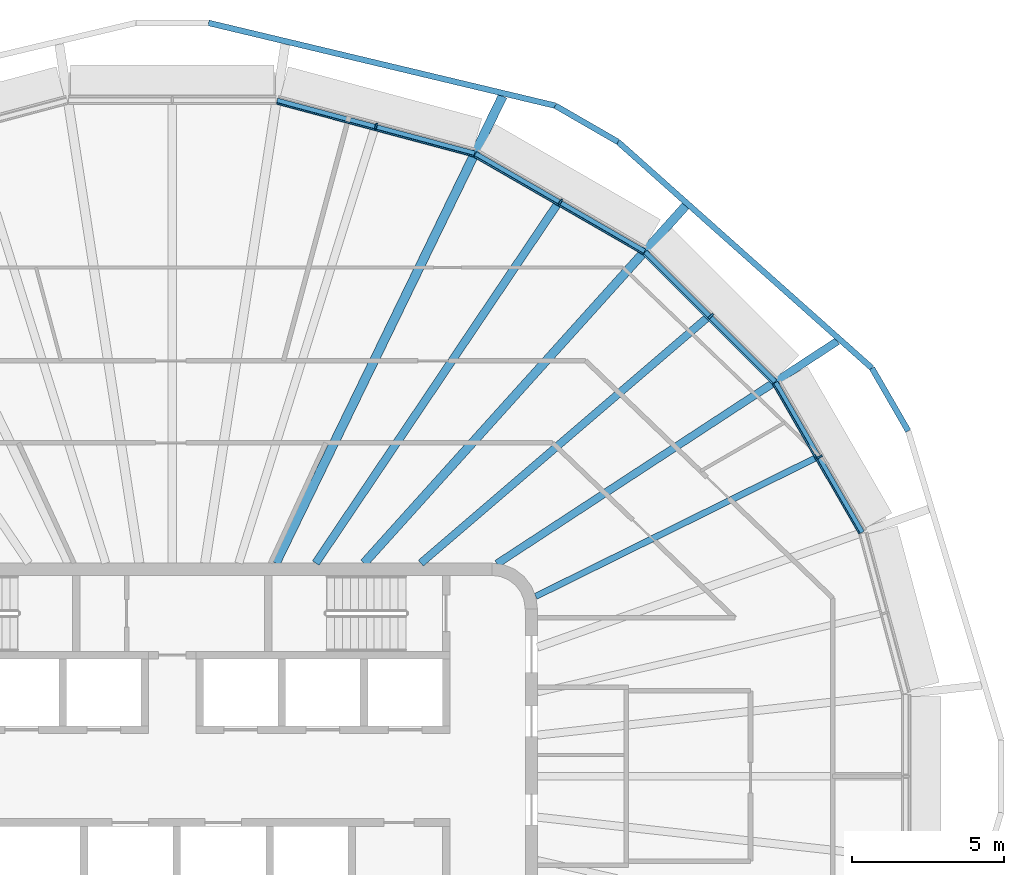
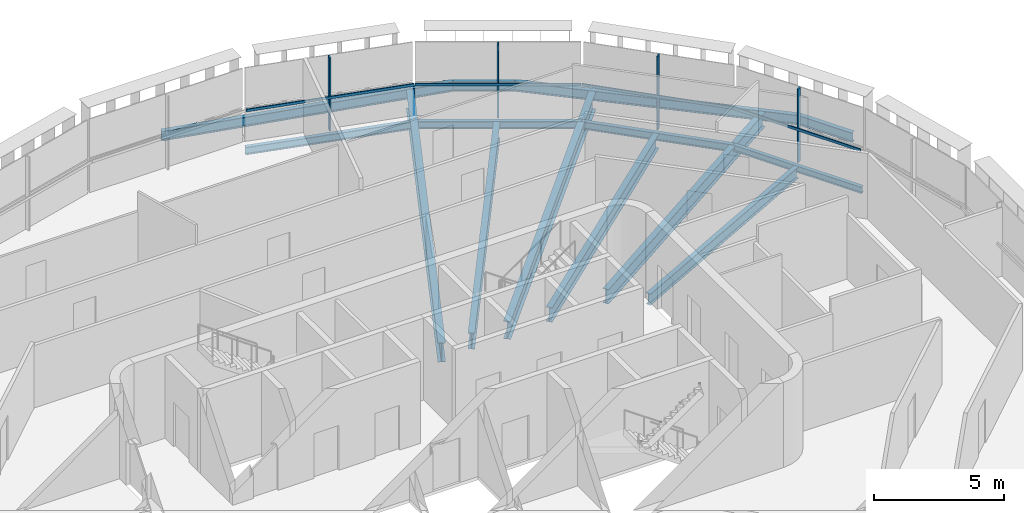
# One storey, part 6 of 18: 14 beams, 8 members, 4 elements without a shape of their own.
"""IFC4 building model written with IfcOpenShell, lengths in metres."""

from ifc_helpers import new_model, si_unit, direction, frame, origin, origin_2d, place, context, subcontext, project, spatial, rectangle, i_section, extrude, material, layer, layer_set, material_profile, profile_set, type_object, element, aggregate, save


model = new_model("IFC4")

# Units and contexts
model_context = context("Model", 3, precision=1e-05, world=origin(), true_north=direction((0.0, 1.0)))
body_context = subcontext(model_context, "Body", "Model", "MODEL_VIEW")
ifc_project = project(units=[si_unit("LENGTHUNIT", "METRE"), si_unit("AREAUNIT", "SQUARE_METRE"), si_unit("VOLUMEUNIT", "CUBIC_METRE"), si_unit("PLANEANGLEUNIT", "RADIAN"), si_unit("MASSUNIT", "GRAM", prefix="KILO")], contexts=[model_context])

# Site, building, storey
site_placement = place(None, origin())
site = spatial("IfcSite", under=ifc_project, at=site_placement, CompositionType="ELEMENT")
building_placement = place(site_placement, origin())
building = spatial("IfcBuilding", under=site, at=building_placement, Name="Sahrelin Media Tower", CompositionType="ELEMENT")
storey_placement = place(building_placement, frame((0.0, 0.0, 320.39990234375)))
storey = spatial("IfcBuildingStorey", under=building, at=storey_placement, Name="L71", CompositionType="ELEMENT", Elevation=320.39990234375)

# Beams
ifc_material_1 = material(Name="Steel S355", Category="steel")
ifc_material_profile_1 = material_profile(ifc_material_1, i_section(OverallWidth=0.1650390625, OverallDepth=0.303466796875, WebThickness=0.006103515625, FlangeThickness=0.01025390625, FilletRadius=0.0087890625, at=origin_2d()), Name="UB 305x165x40")
ifc_profile_set_1 = profile_set([ifc_material_profile_1], Name="Steel S355")
beam_type_1 = type_object("IfcBeamType", Name="Edge beam EB2", PredefinedType="BEAM", material=ifc_profile_set_1)
beam_1_placement = place(storey_placement, frame((19.822998046875, 12.933349609375, -0.301513671875), z_axis=(0.50000363893, -0.866023302837, 0.0), x_axis=(0.866023302837, 0.50000363893, 0.0)))
element("IfcBeam", 1, at=beam_1_placement, inside=storey, type_object=beam_type_1, Name="Edge beam L71-23", PredefinedType="BEAM", context=body_context, shape_type="SweptSolid", body=[
    extrude(i_section(OverallWidth=0.1650390625, OverallDepth=0.303466796875, WebThickness=0.006103515625, FlangeThickness=0.01025390625, FilletRadius=0.0087890625, at=origin_2d()), origin(), (0.0, 0.0, 1.0), 5.68701171875),
])
ifc_material_profile_2 = material_profile(ifc_material_1, i_section(OverallWidth=0.17138671875, OverallDepth=0.35498046875, WebThickness=0.00732421875, FlangeThickness=0.011474609375, FilletRadius=0.01025390625, at=origin_2d()), Name="UB 356x171x51")
ifc_profile_set_2 = profile_set([ifc_material_profile_2], Name="Steel S355")
beam_type_2 = type_object("IfcBeamType", Name="Edge beam EB3", PredefinedType="BEAM", material=ifc_profile_set_2)
beam_2_placement = place(storey_placement, frame((3.44580078125, 22.197021484375, -0.327392578125), z_axis=(0.965930856343, -0.258800271955, 0.0), x_axis=(0.258800271955, 0.965930856343, 0.0)))
element("IfcBeam", 2, at=beam_2_placement, inside=storey, type_object=beam_type_2, Name="Edge beam L71-20", PredefinedType="BEAM", context=body_context, shape_type="SweptSolid", body=[
    extrude(i_section(OverallWidth=0.17138671875, OverallDepth=0.35498046875, WebThickness=0.00732421875, FlangeThickness=0.011474609375, FilletRadius=0.01025390625, at=origin_2d()), origin(), (0.0, 0.0, 1.0), 6.717529296875),
])
beam_3_placement = place(storey_placement, frame((9.961181640625, 20.447509765625, -0.327392578125), z_axis=(0.866016350121, -0.500015681077, 0.0), x_axis=(0.500015681077, 0.866016350121, 0.0)))
element("IfcBeam", 3, at=beam_3_placement, inside=storey, type_object=beam_type_2, Name="Edge beam L71-21", PredefinedType="BEAM", context=body_context, shape_type="SweptSolid", body=[
    extrude(i_section(OverallWidth=0.17138671875, OverallDepth=0.35498046875, WebThickness=0.00732421875, FlangeThickness=0.011474609375, FilletRadius=0.01025390625, at=origin_2d()), origin(), (0.0, 0.0, 1.0), 6.414306640625),
])
beam_4_placement = place(storey_placement, frame((15.5390625, 17.22265625, -0.327392578125), z_axis=(0.707106781187, -0.707106781187, 0.0), x_axis=(0.707106781187, 0.707106781187, 0.0)))
element("IfcBeam", 4, at=beam_4_placement, inside=storey, type_object=beam_type_2, Name="Edge beam L71-22", PredefinedType="BEAM", context=body_context, shape_type="SweptSolid", body=[
    extrude(i_section(OverallWidth=0.17138671875, OverallDepth=0.35498046875, WebThickness=0.00732421875, FlangeThickness=0.011474609375, FilletRadius=0.01025390625, at=origin_2d()), origin(), (0.0, 0.0, 1.0), 6.033447265625),
])

# Curtain wall, member
ifc_material_2 = material(Name="Champagne anodised aluminium 6063-T6", Category="aluminium")
ifc_layer = layer(ifc_material_2, 0.14990234375)
ifc_layer_set = layer_set([ifc_layer], Name="Tower ribbon curtain wall")
curtain_wall_type = type_object("IfcCurtainWallType", Name="Tower ribbon curtain wall", PredefinedType="NOTDEFINED", material=ifc_layer_set)
curtain_wall_1_placement = place(storey_placement, frame((21.37451171875, 10.5458984375, 0.0), z_axis=(0.0, 0.0, 1.0), x_axis=(1.0, 0.0, 0.0)))
curtain_wall_1 = element("IfcCurtainWall", 5, at=curtain_wall_1_placement, inside=storey, type_object=curtain_wall_type, Name="L71:CW:L71-02", PredefinedType="NOTDEFINED")
ifc_material_profile_3 = material_profile(ifc_material_2, rectangle(XDim=0.06005859375, YDim=0.199951171875, at=origin_2d()), Name="Mullion 60x200")
ifc_profile_set_3 = profile_set([ifc_material_profile_3], Name="Champagne anodised aluminium 6063-T6")
member_type_1 = type_object("IfcMemberType", Name="Mullion 60x200 CW1C", PredefinedType="MULLION", material=ifc_profile_set_3)
member_1_placement = place(storey_placement, frame((21.270751953125, 10.48583984375, 0.0), z_axis=(0.0, 0.0, 1.0), x_axis=(-0.500004534492, 0.866022785779, 0.0)))
member_1 = element("IfcMember", 6, at=member_1_placement, type_object=member_type_1, Name="L71:CWM:L71-02", PredefinedType="MULLION", context=body_context, shape_type="SweptSolid", body=[
    extrude(rectangle(XDim=0.06005859375, YDim=0.199951171875, at=origin_2d()), origin(), (0.0, 0.0, 1.0), 3.44873046875),
])

curtain_wall_2_placement = place(storey_placement, frame((17.7783203125, 15.195556640625, 0.0), z_axis=(0.0, 0.0, 1.0), x_axis=(1.0, 0.0, 0.0)))
curtain_wall_2 = element("IfcCurtainWall", 7, at=curtain_wall_2_placement, inside=storey, type_object=curtain_wall_type, Name="L71:CW:L71-03", PredefinedType="NOTDEFINED")
member_2_placement = place(storey_placement, frame((17.693359375, 15.110595703125, 0.0), z_axis=(0.0, 0.0, 1.0), x_axis=(-0.707106781187, 0.707106781187, 0.0)))
member_2 = element("IfcMember", 8, at=member_2_placement, type_object=member_type_1, Name="L71:CWM:L71-03", PredefinedType="MULLION", context=body_context, shape_type="SweptSolid", body=[
    extrude(rectangle(XDim=0.06005859375, YDim=0.199951171875, at=origin_2d()), origin(), (0.0, 0.0, 1.0), 3.44873046875),
])

curtain_wall_3_placement = place(storey_placement, frame((12.813720703125, 18.973876953125, 0.0), z_axis=(0.0, 0.0, 1.0), x_axis=(1.0, 0.0, 0.0)))
curtain_wall_3 = element("IfcCurtainWall", 9, at=curtain_wall_3_placement, inside=storey, type_object=curtain_wall_type, Name="L71:CW:L71-04", PredefinedType="NOTDEFINED")
member_3_placement = place(storey_placement, frame((12.753662109375, 18.869873046875, 0.0), z_axis=(0.0, 0.0, 1.0), x_axis=(-0.86602365845, 0.500003022996, 0.0)))
member_3 = element("IfcMember", 10, at=member_3_placement, type_object=member_type_1, Name="L71:CWM:L71-04", PredefinedType="MULLION", context=body_context, shape_type="SweptSolid", body=[
    extrude(rectangle(XDim=0.06005859375, YDim=0.199951171875, at=origin_2d()), origin(), (0.0, 0.0, 1.0), 3.44873046875),
])

curtain_wall_4_placement = place(storey_placement, frame((6.72900390625, 21.47265625, 0.0), z_axis=(0.0, 0.0, 1.0), x_axis=(1.0, 0.0, 0.0)))
curtain_wall_4 = element("IfcCurtainWall", 11, at=curtain_wall_4_placement, inside=storey, type_object=curtain_wall_type, Name="L71:CW:L71-05", PredefinedType="NOTDEFINED")
member_4_placement = place(storey_placement, frame((6.69775390625, 21.356689453125, 0.0), z_axis=(0.0, 0.0, 1.0), x_axis=(-0.965926278012, 0.258817359244, 0.0)))
member_4 = element("IfcMember", 12, at=member_4_placement, type_object=member_type_1, Name="L71:CWM:L71-05", PredefinedType="MULLION", context=body_context, shape_type="SweptSolid", body=[
    extrude(rectangle(XDim=0.06005859375, YDim=0.199951171875, at=origin_2d()), origin(), (0.0, 0.0, 1.0), 3.44873046875),
])

# Beams
ifc_material_profile_4 = material_profile(ifc_material_1, i_section(OverallWidth=0.291748046875, OverallDepth=0.8349609375, WebThickness=0.013916015625, FlangeThickness=0.018798828125, FilletRadius=0.017822265625, at=origin_2d()), Name="UB 838x292x176")
ifc_profile_set_4 = profile_set([ifc_material_profile_4], Name="Steel S355")
beam_type_3 = type_object("IfcBeamType", Name="Radial primary beam PB10", PredefinedType="BEAM", material=ifc_profile_set_4)
beam_5_placement = place(storey_placement, frame((6.30126953125, 7.0, -0.5673828125), z_axis=(0.669035624577, 0.743230336468, 0.0), x_axis=(-0.743230336468, 0.669035624577, 0.0)))
element("IfcBeam", 13, at=beam_5_placement, inside=storey, type_object=beam_type_3, Name="Radial beam L71-04", PredefinedType="BEAM", context=body_context, shape_type="SweptSolid", body=[
    extrude(i_section(OverallWidth=0.291748046875, OverallDepth=0.8349609375, WebThickness=0.013916015625, FlangeThickness=0.018798828125, FilletRadius=0.017822265625, at=origin_2d()), origin(), (0.0, 0.0, 1.0), 15.791259765625),
])
ifc_material_profile_5 = material_profile(ifc_material_1, i_section(OverallWidth=0.30322265625, OverallDepth=0.903076171875, WebThickness=0.01513671875, FlangeThickness=0.020263671875, FilletRadius=0.01904296875, at=origin_2d()), Name="UB 914x305x201")
ifc_profile_set_5 = profile_set([ifc_material_profile_5], Name="Steel S355")
beam_type_4 = type_object("IfcBeamType", Name="Radial primary beam PB11", PredefinedType="BEAM", material=ifc_profile_set_5)
beam_6_placement = place(storey_placement, frame((3.401123046875, 7.0, -0.601318359375), z_axis=(0.437024704588, 0.899449502518, 0.0), x_axis=(-0.899449502518, 0.437024704588, 0.0)))
element("IfcBeam", 14, at=beam_6_placement, inside=storey, type_object=beam_type_4, Name="Radial beam L71-05", PredefinedType="BEAM", context=body_context, shape_type="SweptSolid", body=[
    extrude(i_section(OverallWidth=0.30322265625, OverallDepth=0.903076171875, WebThickness=0.01513671875, FlangeThickness=0.020263671875, FilletRadius=0.01904296875, at=origin_2d()), origin(), (0.0, 0.0, 1.0), 17.06103515625),
])
ifc_material_profile_6 = material_profile(ifc_material_1, i_section(OverallWidth=0.2529296875, OverallDepth=0.677978515625, WebThickness=0.01171875, FlangeThickness=0.01611328125, FilletRadius=0.01513671875, at=origin_2d()), Name="UB 686x254x125")
ifc_profile_set_6 = profile_set([ifc_material_profile_6], Name="Steel S355")
beam_type_5 = type_object("IfcBeamType", Name="Radial primary beam PB8", PredefinedType="BEAM", material=ifc_profile_set_6)
beam_7_placement = place(storey_placement, frame((10.669189453125, 6.977783203125, -0.489013671875), z_axis=(0.836908141408, 0.547343368321, 0.0), x_axis=(-0.547343368321, 0.836908141408, 0.0)))
element("IfcBeam", 15, at=beam_7_placement, inside=storey, type_object=beam_type_5, Name="Radial beam L71-03", PredefinedType="BEAM", context=body_context, shape_type="SweptSolid", body=[
    extrude(i_section(OverallWidth=0.2529296875, OverallDepth=0.677978515625, WebThickness=0.01171875, FlangeThickness=0.01611328125, FilletRadius=0.01513671875, at=origin_2d()), origin(), (0.0, 0.0, 1.0), 13.364501953125),
])
ifc_material_profile_7 = material_profile(ifc_material_1, i_section(OverallWidth=0.208740234375, OverallDepth=0.5283203125, WebThickness=0.009521484375, FlangeThickness=0.01318359375, FilletRadius=0.0126953125, at=origin_2d()), Name="UB 533x210x82")
ifc_profile_set_7 = profile_set([ifc_material_profile_7], Name="Steel S355")
beam_type_6 = type_object("IfcBeamType", Name="Radial secondary beam SB6", PredefinedType="BEAM", material=ifc_profile_set_7)
beam_8_placement = place(storey_placement, frame((11.941650390625, 5.90576171875, -0.4140625), z_axis=(0.896375943047, 0.443294674824, 0.0), x_axis=(-0.443294674824, 0.896375943047, 0.0)))
element("IfcBeam", 16, at=beam_8_placement, inside=storey, type_object=beam_type_6, Name="Secondary beam L71-02", PredefinedType="BEAM", context=body_context, shape_type="SweptSolid", body=[
    extrude(i_section(OverallWidth=0.208740234375, OverallDepth=0.5283203125, WebThickness=0.009521484375, FlangeThickness=0.01318359375, FilletRadius=0.0126953125, at=origin_2d()), origin(), (0.0, 0.0, 1.0), 10.27783203125),
])
ifc_material_profile_8 = material_profile(ifc_material_1, i_section(OverallWidth=0.2529296875, OverallDepth=0.677978515625, WebThickness=0.01171875, FlangeThickness=0.01611328125, FilletRadius=0.01513671875, at=origin_2d()), Name="UB 686x254x125")
ifc_profile_set_8 = profile_set([ifc_material_profile_8], Name="Steel S355")
beam_type_7 = type_object("IfcBeamType", Name="Radial secondary beam SB8", PredefinedType="BEAM", material=ifc_profile_set_8)
beam_9_placement = place(storey_placement, frame((8.168212890625, 7.0, -0.489013671875), z_axis=(0.75931918364, 0.650718354863, 0.0), x_axis=(-0.650718354863, 0.75931918364, 0.0)))
element("IfcBeam", 17, at=beam_9_placement, inside=storey, type_object=beam_type_7, Name="Secondary beam L71-03", PredefinedType="BEAM", context=body_context, shape_type="SweptSolid", body=[
    extrude(i_section(OverallWidth=0.2529296875, OverallDepth=0.677978515625, WebThickness=0.01171875, FlangeThickness=0.01611328125, FilletRadius=0.01513671875, at=origin_2d()), origin(), (0.0, 0.0, 1.0), 12.391357421875),
])
ifc_material_profile_9 = material_profile(ifc_material_1, i_section(OverallWidth=0.26513671875, OverallDepth=0.75390625, WebThickness=0.0126953125, FlangeThickness=0.017578125, FilletRadius=0.0166015625, at=origin_2d()), Name="UB 762x267x147")
ifc_profile_set_9 = profile_set([ifc_material_profile_9], Name="Steel S355")
beam_type_8 = type_object("IfcBeamType", Name="Radial secondary beam SB9", PredefinedType="BEAM", material=ifc_profile_set_9)
beam_10_placement = place(storey_placement, frame((4.71337890625, 7.0, -0.52685546875), z_axis=(0.558514308312, 0.82949488691, 0.0), x_axis=(-0.82949488691, 0.558514308312, 0.0)))
element("IfcBeam", 18, at=beam_10_placement, inside=storey, type_object=beam_type_8, Name="Secondary beam L71-04", PredefinedType="BEAM", context=body_context, shape_type="SweptSolid", body=[
    extrude(i_section(OverallWidth=0.26513671875, OverallDepth=0.75390625, WebThickness=0.0126953125, FlangeThickness=0.017578125, FilletRadius=0.0166015625, at=origin_2d()), origin(), (0.0, 0.0, 1.0), 14.218017578125),
])
ifc_material_profile_10 = material_profile(ifc_material_1, i_section(OverallWidth=0.1904296875, OverallDepth=0.45703125, WebThickness=0.009033203125, FlangeThickness=0.014404296875, FilletRadius=0.01025390625, at=origin_2d()), Name="UB 457x191x74")
ifc_profile_set_10 = profile_set([ifc_material_profile_10], Name="Steel S355")
beam_type_9 = type_object("IfcBeamType", Name="Tie chord TC5", PredefinedType="BEAM", material=ifc_profile_set_10)
beam_11_placement = place(storey_placement, frame((24.182373046875, 11.34326171875, -0.37841796875), z_axis=(-0.499994325412, 0.866028679985, 0.0), x_axis=(-0.866028679985, -0.499994325412, 0.0)))
element("IfcBeam", 19, at=beam_11_placement, inside=storey, type_object=beam_type_9, Name="Tie chord L71-02", PredefinedType="BEAM", context=body_context, shape_type="SweptSolid", body=[
    extrude(i_section(OverallWidth=0.1904296875, OverallDepth=0.45703125, WebThickness=0.009033203125, FlangeThickness=0.014404296875, FilletRadius=0.01025390625, at=origin_2d()), origin(), (0.0, 0.0, 1.0), 2.3837890625),
])
beam_12_placement = place(storey_placement, frame((22.990478515625, 13.40771484375, -0.37841796875), z_axis=(-0.746639514232, 0.665228859707, 0.0), x_axis=(-0.665228859707, -0.746639514232, 0.0)))
element("IfcBeam", 20, at=beam_12_placement, inside=storey, type_object=beam_type_9, Name="Tie chord L71-03", PredefinedType="BEAM", context=body_context, shape_type="SweptSolid", body=[
    extrude(i_section(OverallWidth=0.1904296875, OverallDepth=0.45703125, WebThickness=0.009033203125, FlangeThickness=0.014404296875, FilletRadius=0.01025390625, at=origin_2d()), origin(), (0.0, 0.0, 1.0), 11.1708984375),
])
beam_13_placement = place(storey_placement, frame((14.64990234375, 20.8388671875, -0.37841796875), z_axis=(-0.866028679985, 0.499994325412, 0.0), x_axis=(-0.499994325412, -0.866028679985, 0.0)))
element("IfcBeam", 21, at=beam_13_placement, inside=storey, type_object=beam_type_9, Name="Tie chord L71-04", PredefinedType="BEAM", context=body_context, shape_type="SweptSolid", body=[
    extrude(i_section(OverallWidth=0.1904296875, OverallDepth=0.45703125, WebThickness=0.009033203125, FlangeThickness=0.014404296875, FilletRadius=0.01025390625, at=origin_2d()), origin(), (0.0, 0.0, 1.0), 2.3837890625),
])
beam_14_placement = place(storey_placement, frame((12.58544921875, 22.03076171875, -0.37841796875), z_axis=(-0.972667165889, 0.232203756218, 0.0), x_axis=(-0.232203756218, -0.972667165889, 0.0)))
element("IfcBeam", 22, at=beam_14_placement, inside=storey, type_object=beam_type_9, Name="Tie chord L71-05", PredefinedType="BEAM", context=body_context, shape_type="SweptSolid", body=[
    extrude(i_section(OverallWidth=0.1904296875, OverallDepth=0.45703125, WebThickness=0.009033203125, FlangeThickness=0.014404296875, FilletRadius=0.01025390625, at=origin_2d()), origin(), (0.0, 0.0, 1.0), 11.713623046875),
])

# Member
ifc_material_profile_11 = material_profile(ifc_material_2, rectangle(XDim=0.050048828125, YDim=0.1201171875, at=origin_2d()), Name="Transom 50x120")
ifc_profile_set_11 = profile_set([ifc_material_profile_11], Name="Champagne anodised aluminium 6063-T6")
member_type_2 = type_object("IfcMemberType", Name="Transom 50x120 CW1C", PredefinedType="USERDEFINED", material=ifc_profile_set_11)
member_5_placement = place(storey_placement, frame((22.576416015625, 7.974365234375, 1.60009765625), z_axis=(-0.500006439447, 0.866021685936, 0.0), x_axis=(-0.866021685936, -0.500006439447, 0.0)))
member_5 = element("IfcMember", 23, at=member_5_placement, type_object=member_type_2, Name="L71:CWT:L71-02", ObjectType="TRANSOM", PredefinedType="USERDEFINED", context=body_context, shape_type="SweptSolid", body=[
    extrude(rectangle(XDim=0.050048828125, YDim=0.1201171875, at=origin_2d()), origin(), (0.0, 0.0, 1.0), 5.65576171875),
])

aggregate(curtain_wall_1, [member_1, member_5])

member_6_placement = place(storey_placement, frame((19.72705078125, 12.900146484375, 1.60009765625), z_axis=(-0.707106781187, 0.707106781187, 0.0), x_axis=(-0.707106781187, -0.707106781187, 0.0)))
member_6 = element("IfcMember", 24, at=member_6_placement, type_object=member_type_2, Name="L71:CWT:L71-03", ObjectType="TRANSOM", PredefinedType="USERDEFINED", context=body_context, shape_type="SweptSolid", body=[
    extrude(rectangle(XDim=0.050048828125, YDim=0.1201171875, at=origin_2d()), origin(), (0.0, 0.0, 1.0), 6.002197265625),
])

aggregate(curtain_wall_2, [member_2, member_6])

member_7_placement = place(storey_placement, frame((15.455078125, 17.165771484375, 1.60009765625), z_axis=(-0.866014883366, 0.500018221457, 0.0), x_axis=(-0.500018221457, -0.866014883366, 0.0)))
member_7 = element("IfcMember", 25, at=member_7_placement, type_object=member_type_2, Name="L71:CWT:L71-04", ObjectType="TRANSOM", PredefinedType="USERDEFINED", context=body_context, shape_type="SweptSolid", body=[
    extrude(rectangle(XDim=0.050048828125, YDim=0.1201171875, at=origin_2d()), origin(), (0.0, 0.0, 1.0), 6.383056640625),
])

aggregate(curtain_wall_3, [member_3, member_7])

member_8_placement = place(storey_placement, frame((9.894775390625, 20.370849609375, 1.60009765625), z_axis=(-0.965928819755, 0.258807873079, 0.0), x_axis=(-0.258807873079, -0.965928819755, 0.0)))
member_8 = element("IfcMember", 26, at=member_8_placement, type_object=member_type_2, Name="L71:CWT:L71-05", ObjectType="TRANSOM", PredefinedType="USERDEFINED", context=body_context, shape_type="SweptSolid", body=[
    extrude(rectangle(XDim=0.050048828125, YDim=0.1201171875, at=origin_2d()), origin(), (0.0, 0.0, 1.0), 6.686279296875),
])

aggregate(curtain_wall_4, [member_4, member_8])

save(model, "model.ifc")
